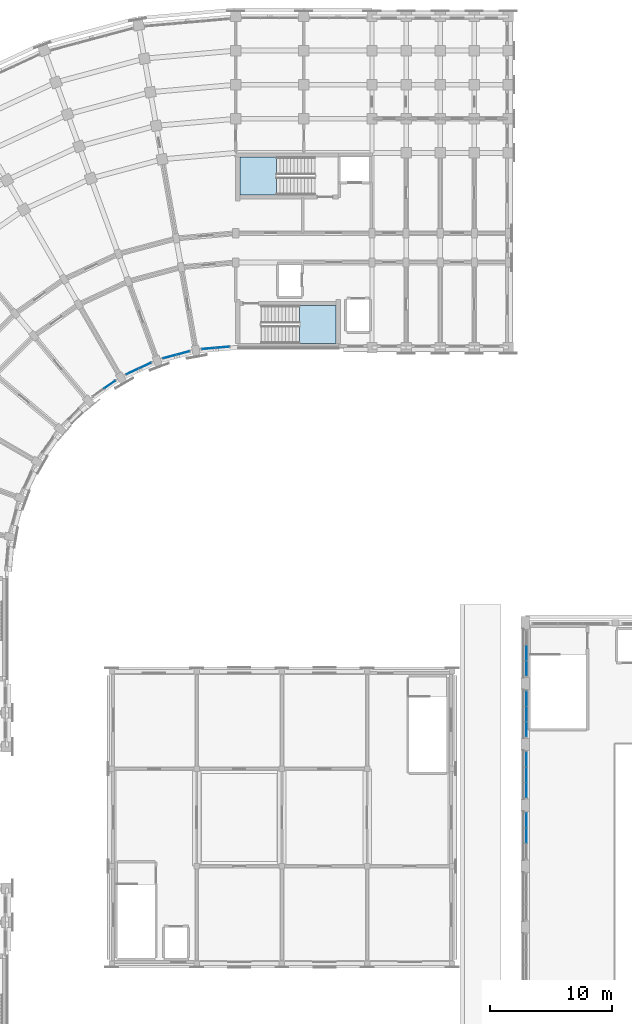
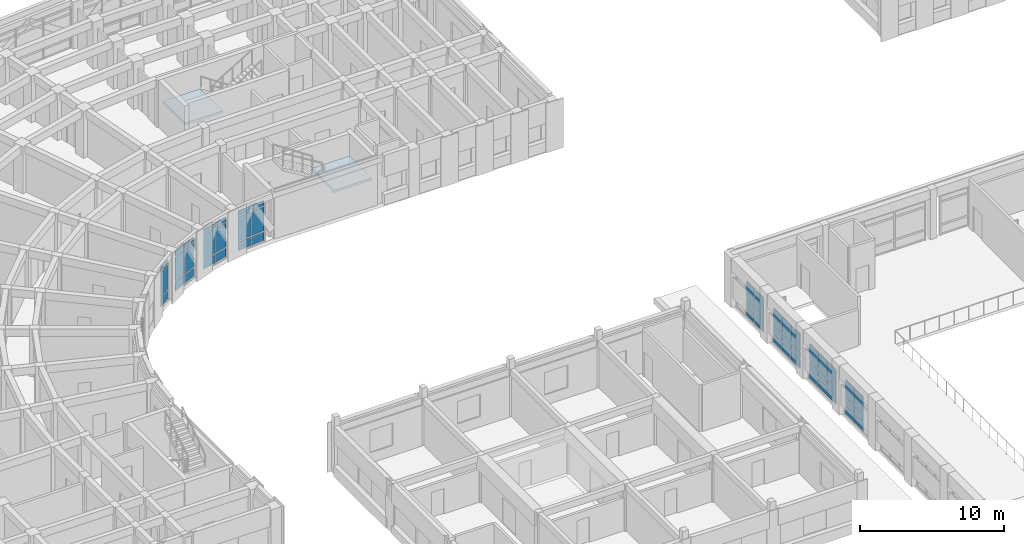
# One storey, part 50 of 97: 51 plates, 2 slabs, 10 elements without a shape of their own.
"""IFC4 building model written with IfcOpenShell, lengths in metres."""

from ifc_helpers import new_model, si_unit, direction, frame, origin, origin_2d, place, context, subcontext, project, spatial, polyline, rectangle, outline, extrude, material, layer, layer_set, type_object, element, aggregate, save


model = new_model("IFC4")

# Units and contexts
model_context = context("Model", 3, precision=1e-05, world=origin(), true_north=direction((0.0, 1.0)))
body_context = subcontext(model_context, "Body", "Model", "MODEL_VIEW")
ifc_project = project(units=[si_unit("LENGTHUNIT", "METRE"), si_unit("AREAUNIT", "SQUARE_METRE"), si_unit("VOLUMEUNIT", "CUBIC_METRE"), si_unit("PLANEANGLEUNIT", "RADIAN"), si_unit("MASSUNIT", "GRAM", prefix="KILO")], contexts=[model_context])

# Site, building, storey
site_placement = place(None, origin())
site = spatial("IfcSite", under=ifc_project, at=site_placement, CompositionType="ELEMENT")
building_placement = place(site_placement, origin())
building = spatial("IfcBuilding", under=site, at=building_placement, Name="Kiranvali Square Residences", CompositionType="ELEMENT")
storey_placement = place(building_placement, frame((0.0, 0.0, 4.5)))
storey = spatial("IfcBuildingStorey", under=building, at=storey_placement, Name="L01", CompositionType="ELEMENT", Elevation=4.5)

# Curtain wall, plates
ifc_material_1 = material(Name="Anodised bronze aluminium framing", Category="aluminium")
curtain_wall_type_1 = type_object("IfcCurtainWallType", Name="CW-RET-SHOP", PredefinedType="USERDEFINED", material=ifc_material_1)
curtain_wall_1_placement = place(storey_placement, origin())
curtain_wall_1 = element("IfcCurtainWall", 1, at=curtain_wall_1_placement, inside=storey, type_object=curtain_wall_type_1, Name="Block A L01 garden foyer curtain wall 1", ObjectType="CURTAIN WALL", PredefinedType="USERDEFINED")
ifc_material_2 = material(Name="Solar-control low-e double glazing", Category="glass")
ifc_layer_1 = layer(ifc_material_2, 0.028076171875)
ifc_layer_set_1 = layer_set([ifc_layer_1], Name="Solar-control low-e double glazing")
plate_type_1 = type_object("IfcPlateType", Name="PLT-CW-GLZ", PredefinedType="CURTAIN_PANEL", material=ifc_layer_set_1)
plate_1_placement = place(storey_placement, frame((47.124267578125, 106.62646484375, 0.89013671875), z_axis=(0.0, 0.0, 1.0), x_axis=(-0.996194698092, -0.087155742748, 0.0)))
plate_1 = element("IfcPlate", 2, at=plate_1_placement, type_object=plate_type_1, Name="CW-A-L01-GDN-00 glazed panel 1.2", PredefinedType="CURTAIN_PANEL", context=body_context, shape_type="SweptSolid", body=[
    extrude(rectangle(XDim=1.05859375, YDim=0.028076171875, at=origin_2d()), origin(), (0.0, 0.0, 1.0), 2.050048828125),
])
plate_2_placement = place(storey_placement, frame((47.124267578125, 106.62646484375, 3.02001953125), z_axis=(0.0, 0.0, 1.0), x_axis=(-0.996194698092, -0.087155742748, 0.0)))
plate_2 = element("IfcPlate", 3, at=plate_2_placement, type_object=plate_type_1, Name="CW-A-L01-GDN-00 glazed panel 1.3", PredefinedType="CURTAIN_PANEL", context=body_context, shape_type="SweptSolid", body=[
    extrude(rectangle(XDim=1.05859375, YDim=0.028076171875, at=origin_2d()), origin(), (0.0, 0.0, 1.0), 0.429931640625),
])
plate_3_placement = place(storey_placement, frame((45.990234375, 106.527099609375, 0.89013671875), z_axis=(0.0, 0.0, 1.0), x_axis=(-0.996194698092, -0.087155742748, 0.0)))
plate_3 = element("IfcPlate", 4, at=plate_3_placement, type_object=plate_type_1, Name="CW-A-L01-GDN-00 glazed panel 2.2", PredefinedType="CURTAIN_PANEL", context=body_context, shape_type="SweptSolid", body=[
    extrude(rectangle(XDim=1.05859375, YDim=0.028076171875, at=origin_2d()), origin(), (0.0, 0.0, 1.0), 2.050048828125),
])
plate_4_placement = place(storey_placement, frame((45.990234375, 106.527099609375, 3.02001953125), z_axis=(0.0, 0.0, 1.0), x_axis=(-0.996194698092, -0.087155742748, 0.0)))
plate_4 = element("IfcPlate", 5, at=plate_4_placement, type_object=plate_type_1, Name="CW-A-L01-GDN-00 glazed panel 2.3", PredefinedType="CURTAIN_PANEL", context=body_context, shape_type="SweptSolid", body=[
    extrude(rectangle(XDim=1.05859375, YDim=0.028076171875, at=origin_2d()), origin(), (0.0, 0.0, 1.0), 0.429931640625),
])

curtain_wall_2_placement = place(storey_placement, origin())
curtain_wall_2 = element("IfcCurtainWall", 6, at=curtain_wall_2_placement, inside=storey, type_object=curtain_wall_type_1, Name="Block A L01 garden foyer curtain wall 2", ObjectType="CURTAIN WALL", PredefinedType="USERDEFINED")
plate_5_placement = place(storey_placement, frame((43.87158203125, 106.153564453125, 0.89013671875), z_axis=(0.0, 0.0, 1.0), x_axis=(-0.965925826289, -0.258819045103, 0.0)))
plate_5 = element("IfcPlate", 7, at=plate_5_placement, type_object=plate_type_1, Name="CW-A-L01-GDN-01 glazed panel 1.2", PredefinedType="CURTAIN_PANEL", context=body_context, shape_type="SweptSolid", body=[
    extrude(rectangle(XDim=1.05859375, YDim=0.028076171875, at=origin_2d()), origin(), (0.0, 0.0, 1.0), 2.050048828125),
])
plate_6_placement = place(storey_placement, frame((43.87158203125, 106.153564453125, 3.02001953125), z_axis=(0.0, 0.0, 1.0), x_axis=(-0.965925826289, -0.258819045103, 0.0)))
plate_6 = element("IfcPlate", 8, at=plate_6_placement, type_object=plate_type_1, Name="CW-A-L01-GDN-01 glazed panel 1.3", PredefinedType="CURTAIN_PANEL", context=body_context, shape_type="SweptSolid", body=[
    extrude(rectangle(XDim=1.05859375, YDim=0.028076171875, at=origin_2d()), origin(), (0.0, 0.0, 1.0), 0.429931640625),
])
plate_7_placement = place(storey_placement, frame((42.771728515625, 105.85888671875, 0.89013671875), z_axis=(0.0, 0.0, 1.0), x_axis=(-0.965925826289, -0.258819045103, 0.0)))
plate_7 = element("IfcPlate", 9, at=plate_7_placement, type_object=plate_type_1, Name="CW-A-L01-GDN-01 glazed panel 2.2", PredefinedType="CURTAIN_PANEL", context=body_context, shape_type="SweptSolid", body=[
    extrude(rectangle(XDim=1.05859375, YDim=0.028076171875, at=origin_2d()), origin(), (0.0, 0.0, 1.0), 2.050048828125),
])
plate_8_placement = place(storey_placement, frame((42.771728515625, 105.85888671875, 3.02001953125), z_axis=(0.0, 0.0, 1.0), x_axis=(-0.965925826289, -0.258819045103, 0.0)))
plate_8 = element("IfcPlate", 10, at=plate_8_placement, type_object=plate_type_1, Name="CW-A-L01-GDN-01 glazed panel 2.3", PredefinedType="CURTAIN_PANEL", context=body_context, shape_type="SweptSolid", body=[
    extrude(rectangle(XDim=1.05859375, YDim=0.028076171875, at=origin_2d()), origin(), (0.0, 0.0, 1.0), 0.429931640625),
])

curtain_wall_3_placement = place(storey_placement, origin())
curtain_wall_3 = element("IfcCurtainWall", 11, at=curtain_wall_3_placement, inside=storey, type_object=curtain_wall_type_1, Name="Block A L01 garden foyer curtain wall 3", ObjectType="CURTAIN WALL", PredefinedType="USERDEFINED")
plate_9_placement = place(storey_placement, frame((40.750244140625, 105.123046875, 0.89013671875), z_axis=(0.0, 0.0, 1.0), x_axis=(-0.906307787037, -0.422618261741, 0.0)))
plate_9 = element("IfcPlate", 12, at=plate_9_placement, type_object=plate_type_1, Name="CW-A-L01-GDN-02 glazed panel 1.2", PredefinedType="CURTAIN_PANEL", context=body_context, shape_type="SweptSolid", body=[
    extrude(rectangle(XDim=1.05859375, YDim=0.028076171875, at=origin_2d()), origin(), (0.0, 0.0, 1.0), 2.050048828125),
])
plate_10_placement = place(storey_placement, frame((40.750244140625, 105.123046875, 3.02001953125), z_axis=(0.0, 0.0, 1.0), x_axis=(-0.906307787037, -0.422618261741, 0.0)))
plate_10 = element("IfcPlate", 13, at=plate_10_placement, type_object=plate_type_1, Name="CW-A-L01-GDN-02 glazed panel 1.3", PredefinedType="CURTAIN_PANEL", context=body_context, shape_type="SweptSolid", body=[
    extrude(rectangle(XDim=1.05859375, YDim=0.028076171875, at=origin_2d()), origin(), (0.0, 0.0, 1.0), 0.429931640625),
])
plate_11_placement = place(storey_placement, frame((39.71826171875, 104.641845703125, 0.89013671875), z_axis=(0.0, 0.0, 1.0), x_axis=(-0.906307787037, -0.422618261741, 0.0)))
plate_11 = element("IfcPlate", 14, at=plate_11_placement, type_object=plate_type_1, Name="CW-A-L01-GDN-02 glazed panel 2.2", PredefinedType="CURTAIN_PANEL", context=body_context, shape_type="SweptSolid", body=[
    extrude(rectangle(XDim=1.05859375, YDim=0.028076171875, at=origin_2d()), origin(), (0.0, 0.0, 1.0), 2.050048828125),
])
plate_12_placement = place(storey_placement, frame((39.71826171875, 104.641845703125, 3.02001953125), z_axis=(0.0, 0.0, 1.0), x_axis=(-0.906307787037, -0.422618261741, 0.0)))
plate_12 = element("IfcPlate", 15, at=plate_12_placement, type_object=plate_type_1, Name="CW-A-L01-GDN-02 glazed panel 2.3", PredefinedType="CURTAIN_PANEL", context=body_context, shape_type="SweptSolid", body=[
    extrude(rectangle(XDim=1.05859375, YDim=0.028076171875, at=origin_2d()), origin(), (0.0, 0.0, 1.0), 0.429931640625),
])

curtain_wall_4_placement = place(storey_placement, origin())
curtain_wall_4 = element("IfcCurtainWall", 16, at=curtain_wall_4_placement, inside=storey, type_object=curtain_wall_type_1, Name="Block A L01 garden foyer curtain wall 4", ObjectType="CURTAIN WALL", PredefinedType="USERDEFINED")
plate_13_placement = place(storey_placement, frame((37.855224609375, 103.566162109375, 0.89013671875), z_axis=(0.0, 0.0, 1.0), x_axis=(-0.819152044289, -0.573576436351, 0.0)))
plate_13 = element("IfcPlate", 17, at=plate_13_placement, type_object=plate_type_1, Name="CW-A-L01-GDN-03 glazed panel 1.2", PredefinedType="CURTAIN_PANEL", context=body_context, shape_type="SweptSolid", body=[
    extrude(rectangle(XDim=1.05859375, YDim=0.028076171875, at=origin_2d()), origin(), (0.0, 0.0, 1.0), 2.050048828125),
])
plate_14_placement = place(storey_placement, frame((37.855224609375, 103.566162109375, 3.02001953125), z_axis=(0.0, 0.0, 1.0), x_axis=(-0.819152044289, -0.573576436351, 0.0)))
plate_14 = element("IfcPlate", 18, at=plate_14_placement, type_object=plate_type_1, Name="CW-A-L01-GDN-03 glazed panel 1.3", PredefinedType="CURTAIN_PANEL", context=body_context, shape_type="SweptSolid", body=[
    extrude(rectangle(XDim=1.05859375, YDim=0.028076171875, at=origin_2d()), origin(), (0.0, 0.0, 1.0), 0.429931640625),
])

curtain_wall_type_2 = type_object("IfcCurtainWallType", Name="CW-CH-GLZ", PredefinedType="USERDEFINED", material=ifc_material_1)
curtain_wall_5_placement = place(storey_placement, origin())
curtain_wall_5 = element("IfcCurtainWall", 19, at=curtain_wall_5_placement, inside=storey, type_object=curtain_wall_type_2, Name="Community Hall L01 W clerestory bay 5", ObjectType="CURTAIN WALL", PredefinedType="USERDEFINED")
plate_15_placement = place(storey_placement, frame((72.080078125, 66.5, 0.889892578125), z_axis=(0.0, 0.0, 1.0), x_axis=(0.0, 1.0, 0.0)))
plate_15 = element("IfcPlate", 20, at=plate_15_placement, type_object=plate_type_1, Name="CW-CH-L01-W5 glazed panel 2.2", PredefinedType="CURTAIN_PANEL", context=body_context, shape_type="SweptSolid", body=[
    extrude(rectangle(XDim=1.166748046875, YDim=0.028076171875, at=origin_2d()), origin(), (0.0, 0.0, 1.0), 0.6201171875),
])
plate_16_placement = place(storey_placement, frame((72.080078125, 66.5, 1.58984375), z_axis=(0.0, 0.0, 1.0), x_axis=(0.0, 1.0, 0.0)))
plate_16 = element("IfcPlate", 21, at=plate_16_placement, type_object=plate_type_1, Name="CW-CH-L01-W5 glazed panel 2.3", PredefinedType="CURTAIN_PANEL", context=body_context, shape_type="SweptSolid", body=[
    extrude(rectangle(XDim=1.166748046875, YDim=0.028076171875, at=origin_2d()), origin(), (0.0, 0.0, 1.0), 1.429931640625),
])
plate_17_placement = place(storey_placement, frame((72.080078125, 67.74658203125, 0.889892578125), z_axis=(0.0, 0.0, 1.0), x_axis=(0.0, 1.0, 0.0)))
plate_17 = element("IfcPlate", 22, at=plate_17_placement, type_object=plate_type_1, Name="CW-CH-L01-W5 glazed panel 3.2", PredefinedType="CURTAIN_PANEL", context=body_context, shape_type="SweptSolid", body=[
    extrude(rectangle(XDim=1.166748046875, YDim=0.028076171875, at=origin_2d()), origin(), (0.0, 0.0, 1.0), 0.6201171875),
])
plate_18_placement = place(storey_placement, frame((72.080078125, 67.74658203125, 1.58984375), z_axis=(0.0, 0.0, 1.0), x_axis=(0.0, 1.0, 0.0)))
plate_18 = element("IfcPlate", 23, at=plate_18_placement, type_object=plate_type_1, Name="CW-CH-L01-W5 glazed panel 3.3", PredefinedType="CURTAIN_PANEL", context=body_context, shape_type="SweptSolid", body=[
    extrude(rectangle(XDim=1.166748046875, YDim=0.028076171875, at=origin_2d()), origin(), (0.0, 0.0, 1.0), 1.429931640625),
])

curtain_wall_6_placement = place(storey_placement, origin())
curtain_wall_6 = element("IfcCurtainWall", 24, at=curtain_wall_6_placement, inside=storey, type_object=curtain_wall_type_2, Name="Community Hall L01 W clerestory bay 6", ObjectType="CURTAIN WALL", PredefinedType="USERDEFINED")
plate_19_placement = place(storey_placement, frame((72.080078125, 70.25341796875, 0.889892578125), z_axis=(0.0, 0.0, 1.0), x_axis=(0.0, 1.0, 0.0)))
plate_19 = element("IfcPlate", 25, at=plate_19_placement, type_object=plate_type_1, Name="CW-CH-L01-W6 glazed panel 1.2", PredefinedType="CURTAIN_PANEL", context=body_context, shape_type="SweptSolid", body=[
    extrude(rectangle(XDim=1.166748046875, YDim=0.028076171875, at=origin_2d()), origin(), (0.0, 0.0, 1.0), 0.6201171875),
])
plate_20_placement = place(storey_placement, frame((72.080078125, 70.25341796875, 1.58984375), z_axis=(0.0, 0.0, 1.0), x_axis=(0.0, 1.0, 0.0)))
plate_20 = element("IfcPlate", 26, at=plate_20_placement, type_object=plate_type_1, Name="CW-CH-L01-W6 glazed panel 1.3", PredefinedType="CURTAIN_PANEL", context=body_context, shape_type="SweptSolid", body=[
    extrude(rectangle(XDim=1.166748046875, YDim=0.028076171875, at=origin_2d()), origin(), (0.0, 0.0, 1.0), 1.429931640625),
])
plate_21_placement = place(storey_placement, frame((72.080078125, 71.5, 0.889892578125), z_axis=(0.0, 0.0, 1.0), x_axis=(0.0, 1.0, 0.0)))
plate_21 = element("IfcPlate", 27, at=plate_21_placement, type_object=plate_type_1, Name="CW-CH-L01-W6 glazed panel 2.2", PredefinedType="CURTAIN_PANEL", context=body_context, shape_type="SweptSolid", body=[
    extrude(rectangle(XDim=1.166748046875, YDim=0.028076171875, at=origin_2d()), origin(), (0.0, 0.0, 1.0), 0.6201171875),
])
plate_22_placement = place(storey_placement, frame((72.080078125, 71.5, 1.58984375), z_axis=(0.0, 0.0, 1.0), x_axis=(0.0, 1.0, 0.0)))
plate_22 = element("IfcPlate", 28, at=plate_22_placement, type_object=plate_type_1, Name="CW-CH-L01-W6 glazed panel 2.3", PredefinedType="CURTAIN_PANEL", context=body_context, shape_type="SweptSolid", body=[
    extrude(rectangle(XDim=1.166748046875, YDim=0.028076171875, at=origin_2d()), origin(), (0.0, 0.0, 1.0), 1.429931640625),
])
plate_23_placement = place(storey_placement, frame((72.080078125, 72.74658203125, 0.889892578125), z_axis=(0.0, 0.0, 1.0), x_axis=(0.0, 1.0, 0.0)))
plate_23 = element("IfcPlate", 29, at=plate_23_placement, type_object=plate_type_1, Name="CW-CH-L01-W6 glazed panel 3.2", PredefinedType="CURTAIN_PANEL", context=body_context, shape_type="SweptSolid", body=[
    extrude(rectangle(XDim=1.166748046875, YDim=0.028076171875, at=origin_2d()), origin(), (0.0, 0.0, 1.0), 0.6201171875),
])
plate_24_placement = place(storey_placement, frame((72.080078125, 72.74658203125, 1.58984375), z_axis=(0.0, 0.0, 1.0), x_axis=(0.0, 1.0, 0.0)))
plate_24 = element("IfcPlate", 30, at=plate_24_placement, type_object=plate_type_1, Name="CW-CH-L01-W6 glazed panel 3.3", PredefinedType="CURTAIN_PANEL", context=body_context, shape_type="SweptSolid", body=[
    extrude(rectangle(XDim=1.166748046875, YDim=0.028076171875, at=origin_2d()), origin(), (0.0, 0.0, 1.0), 1.429931640625),
])

curtain_wall_7_placement = place(storey_placement, origin())
curtain_wall_7 = element("IfcCurtainWall", 31, at=curtain_wall_7_placement, inside=storey, type_object=curtain_wall_type_2, Name="Community Hall L01 W clerestory bay 7", ObjectType="CURTAIN WALL", PredefinedType="USERDEFINED")
plate_25_placement = place(storey_placement, frame((72.080078125, 75.25341796875, 0.889892578125), z_axis=(0.0, 0.0, 1.0), x_axis=(0.0, 1.0, 0.0)))
plate_25 = element("IfcPlate", 32, at=plate_25_placement, type_object=plate_type_1, Name="CW-CH-L01-W7 glazed panel 1.2", PredefinedType="CURTAIN_PANEL", context=body_context, shape_type="SweptSolid", body=[
    extrude(rectangle(XDim=1.166748046875, YDim=0.028076171875, at=origin_2d()), origin(), (0.0, 0.0, 1.0), 0.6201171875),
])
plate_26_placement = place(storey_placement, frame((72.080078125, 75.25341796875, 1.58984375), z_axis=(0.0, 0.0, 1.0), x_axis=(0.0, 1.0, 0.0)))
plate_26 = element("IfcPlate", 33, at=plate_26_placement, type_object=plate_type_1, Name="CW-CH-L01-W7 glazed panel 1.3", PredefinedType="CURTAIN_PANEL", context=body_context, shape_type="SweptSolid", body=[
    extrude(rectangle(XDim=1.166748046875, YDim=0.028076171875, at=origin_2d()), origin(), (0.0, 0.0, 1.0), 1.429931640625),
])
plate_27_placement = place(storey_placement, frame((72.080078125, 76.5, 0.889892578125), z_axis=(0.0, 0.0, 1.0), x_axis=(0.0, 1.0, 0.0)))
plate_27 = element("IfcPlate", 34, at=plate_27_placement, type_object=plate_type_1, Name="CW-CH-L01-W7 glazed panel 2.2", PredefinedType="CURTAIN_PANEL", context=body_context, shape_type="SweptSolid", body=[
    extrude(rectangle(XDim=1.166748046875, YDim=0.028076171875, at=origin_2d()), origin(), (0.0, 0.0, 1.0), 0.6201171875),
])
plate_28_placement = place(storey_placement, frame((72.080078125, 76.5, 1.58984375), z_axis=(0.0, 0.0, 1.0), x_axis=(0.0, 1.0, 0.0)))
plate_28 = element("IfcPlate", 35, at=plate_28_placement, type_object=plate_type_1, Name="CW-CH-L01-W7 glazed panel 2.3", PredefinedType="CURTAIN_PANEL", context=body_context, shape_type="SweptSolid", body=[
    extrude(rectangle(XDim=1.166748046875, YDim=0.028076171875, at=origin_2d()), origin(), (0.0, 0.0, 1.0), 1.429931640625),
])
plate_29_placement = place(storey_placement, frame((72.080078125, 77.74658203125, 0.889892578125), z_axis=(0.0, 0.0, 1.0), x_axis=(0.0, 1.0, 0.0)))
plate_29 = element("IfcPlate", 36, at=plate_29_placement, type_object=plate_type_1, Name="CW-CH-L01-W7 glazed panel 3.2", PredefinedType="CURTAIN_PANEL", context=body_context, shape_type="SweptSolid", body=[
    extrude(rectangle(XDim=1.166748046875, YDim=0.028076171875, at=origin_2d()), origin(), (0.0, 0.0, 1.0), 0.6201171875),
])
plate_30_placement = place(storey_placement, frame((72.080078125, 77.74658203125, 1.58984375), z_axis=(0.0, 0.0, 1.0), x_axis=(0.0, 1.0, 0.0)))
plate_30 = element("IfcPlate", 37, at=plate_30_placement, type_object=plate_type_1, Name="CW-CH-L01-W7 glazed panel 3.3", PredefinedType="CURTAIN_PANEL", context=body_context, shape_type="SweptSolid", body=[
    extrude(rectangle(XDim=1.166748046875, YDim=0.028076171875, at=origin_2d()), origin(), (0.0, 0.0, 1.0), 1.429931640625),
])

curtain_wall_8_placement = place(storey_placement, origin())
curtain_wall_8 = element("IfcCurtainWall", 38, at=curtain_wall_8_placement, inside=storey, type_object=curtain_wall_type_2, Name="Community Hall L01 W clerestory bay 8", ObjectType="CURTAIN WALL", PredefinedType="USERDEFINED")
plate_31_placement = place(storey_placement, frame((72.080078125, 80.25341796875, 0.889892578125), z_axis=(0.0, 0.0, 1.0), x_axis=(0.0, 1.0, 0.0)))
plate_31 = element("IfcPlate", 39, at=plate_31_placement, type_object=plate_type_1, Name="CW-CH-L01-W8 glazed panel 1.2", PredefinedType="CURTAIN_PANEL", context=body_context, shape_type="SweptSolid", body=[
    extrude(rectangle(XDim=1.166748046875, YDim=0.028076171875, at=origin_2d()), origin(), (0.0, 0.0, 1.0), 0.6201171875),
])
plate_32_placement = place(storey_placement, frame((72.080078125, 80.25341796875, 1.58984375), z_axis=(0.0, 0.0, 1.0), x_axis=(0.0, 1.0, 0.0)))
plate_32 = element("IfcPlate", 40, at=plate_32_placement, type_object=plate_type_1, Name="CW-CH-L01-W8 glazed panel 1.3", PredefinedType="CURTAIN_PANEL", context=body_context, shape_type="SweptSolid", body=[
    extrude(rectangle(XDim=1.166748046875, YDim=0.028076171875, at=origin_2d()), origin(), (0.0, 0.0, 1.0), 1.429931640625),
])
plate_33_placement = place(storey_placement, frame((72.080078125, 81.5, 0.889892578125), z_axis=(0.0, 0.0, 1.0), x_axis=(0.0, 1.0, 0.0)))
plate_33 = element("IfcPlate", 41, at=plate_33_placement, type_object=plate_type_1, Name="CW-CH-L01-W8 glazed panel 2.2", PredefinedType="CURTAIN_PANEL", context=body_context, shape_type="SweptSolid", body=[
    extrude(rectangle(XDim=1.166748046875, YDim=0.028076171875, at=origin_2d()), origin(), (0.0, 0.0, 1.0), 0.6201171875),
])
plate_34_placement = place(storey_placement, frame((72.080078125, 81.5, 1.58984375), z_axis=(0.0, 0.0, 1.0), x_axis=(0.0, 1.0, 0.0)))
plate_34 = element("IfcPlate", 42, at=plate_34_placement, type_object=plate_type_1, Name="CW-CH-L01-W8 glazed panel 2.3", PredefinedType="CURTAIN_PANEL", context=body_context, shape_type="SweptSolid", body=[
    extrude(rectangle(XDim=1.166748046875, YDim=0.028076171875, at=origin_2d()), origin(), (0.0, 0.0, 1.0), 1.429931640625),
])

# Plate
ifc_material_3 = material(Name="Honed Porbandar limestone ashlar facade cladding", Category="masonry")
ifc_layer_2 = layer(ifc_material_3, 0.02392578125)
ifc_layer_set_2 = layer_set([ifc_layer_2], Name="Honed Porbandar limestone ashlar facade cladding")
plate_type_2 = type_object("IfcPlateType", Name="PLT-CW-SPN", PredefinedType="SHEET", material=ifc_layer_set_2)
plate_35_placement = place(storey_placement, frame((47.124267578125, 106.62646484375, 0.080078125), z_axis=(0.0, 0.0, 1.0), x_axis=(-0.996194698092, -0.087155742748, 0.0)))
plate_35 = element("IfcPlate", 43, at=plate_35_placement, type_object=plate_type_2, Name="CW-A-L01-GDN-00 spandrel panel 1.1", PredefinedType="SHEET", context=body_context, shape_type="SweptSolid", body=[
    extrude(rectangle(XDim=1.05859375, YDim=0.02392578125, at=origin_2d()), origin(), (0.0, 0.0, 1.0), 0.72998046875),
])

plate_36_placement = place(storey_placement, frame((45.990234375, 106.527099609375, 0.080078125), z_axis=(0.0, 0.0, 1.0), x_axis=(-0.996194698092, -0.087155742748, 0.0)))
plate_36 = element("IfcPlate", 44, at=plate_36_placement, type_object=plate_type_2, Name="CW-A-L01-GDN-00 spandrel panel 2.1", PredefinedType="SHEET", context=body_context, shape_type="SweptSolid", body=[
    extrude(rectangle(XDim=1.05859375, YDim=0.02392578125, at=origin_2d()), origin(), (0.0, 0.0, 1.0), 0.72998046875),
])

aggregate(curtain_wall_1, [plate_35, plate_1, plate_2, plate_36, plate_3, plate_4])

plate_37_placement = place(storey_placement, frame((43.87158203125, 106.153564453125, 0.080078125), z_axis=(0.0, 0.0, 1.0), x_axis=(-0.965925826289, -0.258819045103, 0.0)))
plate_37 = element("IfcPlate", 45, at=plate_37_placement, type_object=plate_type_2, Name="CW-A-L01-GDN-01 spandrel panel 1.1", PredefinedType="SHEET", context=body_context, shape_type="SweptSolid", body=[
    extrude(rectangle(XDim=1.05859375, YDim=0.02392578125, at=origin_2d()), origin(), (0.0, 0.0, 1.0), 0.72998046875),
])

plate_38_placement = place(storey_placement, frame((42.771728515625, 105.85888671875, 0.080078125), z_axis=(0.0, 0.0, 1.0), x_axis=(-0.965925826289, -0.258819045103, 0.0)))
plate_38 = element("IfcPlate", 46, at=plate_38_placement, type_object=plate_type_2, Name="CW-A-L01-GDN-01 spandrel panel 2.1", PredefinedType="SHEET", context=body_context, shape_type="SweptSolid", body=[
    extrude(rectangle(XDim=1.05859375, YDim=0.02392578125, at=origin_2d()), origin(), (0.0, 0.0, 1.0), 0.72998046875),
])

aggregate(curtain_wall_2, [plate_37, plate_5, plate_6, plate_38, plate_7, plate_8])

plate_39_placement = place(storey_placement, frame((40.750244140625, 105.123046875, 0.080078125), z_axis=(0.0, 0.0, 1.0), x_axis=(-0.906307787037, -0.422618261741, 0.0)))
plate_39 = element("IfcPlate", 47, at=plate_39_placement, type_object=plate_type_2, Name="CW-A-L01-GDN-02 spandrel panel 1.1", PredefinedType="SHEET", context=body_context, shape_type="SweptSolid", body=[
    extrude(rectangle(XDim=1.05859375, YDim=0.02392578125, at=origin_2d()), origin(), (0.0, 0.0, 1.0), 0.72998046875),
])

plate_40_placement = place(storey_placement, frame((39.71826171875, 104.641845703125, 0.080078125), z_axis=(0.0, 0.0, 1.0), x_axis=(-0.906307787037, -0.422618261741, 0.0)))
plate_40 = element("IfcPlate", 48, at=plate_40_placement, type_object=plate_type_2, Name="CW-A-L01-GDN-02 spandrel panel 2.1", PredefinedType="SHEET", context=body_context, shape_type="SweptSolid", body=[
    extrude(rectangle(XDim=1.05859375, YDim=0.02392578125, at=origin_2d()), origin(), (0.0, 0.0, 1.0), 0.72998046875),
])

aggregate(curtain_wall_3, [plate_39, plate_9, plate_10, plate_40, plate_11, plate_12])

plate_41_placement = place(storey_placement, frame((37.855224609375, 103.566162109375, 0.080078125), z_axis=(0.0, 0.0, 1.0), x_axis=(-0.819152044289, -0.573576436351, 0.0)))
plate_41 = element("IfcPlate", 49, at=plate_41_placement, type_object=plate_type_2, Name="CW-A-L01-GDN-03 spandrel panel 1.1", PredefinedType="SHEET", context=body_context, shape_type="SweptSolid", body=[
    extrude(rectangle(XDim=1.05859375, YDim=0.02392578125, at=origin_2d()), origin(), (0.0, 0.0, 1.0), 0.72998046875),
])

aggregate(curtain_wall_4, [plate_41, plate_13, plate_14])

plate_42_placement = place(storey_placement, frame((72.080078125, 66.5, 0.080078125), z_axis=(0.0, 0.0, 1.0), x_axis=(0.0, 1.0, 0.0)))
plate_42 = element("IfcPlate", 50, at=plate_42_placement, type_object=plate_type_2, Name="CW-CH-L01-W5 spandrel panel 2.1", PredefinedType="SHEET", context=body_context, shape_type="SweptSolid", body=[
    extrude(rectangle(XDim=1.166748046875, YDim=0.02392578125, at=origin_2d()), origin(), (0.0, 0.0, 1.0), 0.72998046875),
])

plate_43_placement = place(storey_placement, frame((72.080078125, 67.74658203125, 0.080078125), z_axis=(0.0, 0.0, 1.0), x_axis=(0.0, 1.0, 0.0)))
plate_43 = element("IfcPlate", 51, at=plate_43_placement, type_object=plate_type_2, Name="CW-CH-L01-W5 spandrel panel 3.1", PredefinedType="SHEET", context=body_context, shape_type="SweptSolid", body=[
    extrude(rectangle(XDim=1.166748046875, YDim=0.02392578125, at=origin_2d()), origin(), (0.0, 0.0, 1.0), 0.72998046875),
])

aggregate(curtain_wall_5, [plate_42, plate_15, plate_16, plate_43, plate_17, plate_18])

plate_44_placement = place(storey_placement, frame((72.080078125, 70.25341796875, 0.080078125), z_axis=(0.0, 0.0, 1.0), x_axis=(0.0, 1.0, 0.0)))
plate_44 = element("IfcPlate", 52, at=plate_44_placement, type_object=plate_type_2, Name="CW-CH-L01-W6 spandrel panel 1.1", PredefinedType="SHEET", context=body_context, shape_type="SweptSolid", body=[
    extrude(rectangle(XDim=1.166748046875, YDim=0.02392578125, at=origin_2d()), origin(), (0.0, 0.0, 1.0), 0.72998046875),
])

plate_45_placement = place(storey_placement, frame((72.080078125, 71.5, 0.080078125), z_axis=(0.0, 0.0, 1.0), x_axis=(0.0, 1.0, 0.0)))
plate_45 = element("IfcPlate", 53, at=plate_45_placement, type_object=plate_type_2, Name="CW-CH-L01-W6 spandrel panel 2.1", PredefinedType="SHEET", context=body_context, shape_type="SweptSolid", body=[
    extrude(rectangle(XDim=1.166748046875, YDim=0.02392578125, at=origin_2d()), origin(), (0.0, 0.0, 1.0), 0.72998046875),
])

plate_46_placement = place(storey_placement, frame((72.080078125, 72.74658203125, 0.080078125), z_axis=(0.0, 0.0, 1.0), x_axis=(0.0, 1.0, 0.0)))
plate_46 = element("IfcPlate", 54, at=plate_46_placement, type_object=plate_type_2, Name="CW-CH-L01-W6 spandrel panel 3.1", PredefinedType="SHEET", context=body_context, shape_type="SweptSolid", body=[
    extrude(rectangle(XDim=1.166748046875, YDim=0.02392578125, at=origin_2d()), origin(), (0.0, 0.0, 1.0), 0.72998046875),
])

aggregate(curtain_wall_6, [plate_44, plate_19, plate_20, plate_45, plate_21, plate_22, plate_46, plate_23, plate_24])

plate_47_placement = place(storey_placement, frame((72.080078125, 75.25341796875, 0.080078125), z_axis=(0.0, 0.0, 1.0), x_axis=(0.0, 1.0, 0.0)))
plate_47 = element("IfcPlate", 55, at=plate_47_placement, type_object=plate_type_2, Name="CW-CH-L01-W7 spandrel panel 1.1", PredefinedType="SHEET", context=body_context, shape_type="SweptSolid", body=[
    extrude(rectangle(XDim=1.166748046875, YDim=0.02392578125, at=origin_2d()), origin(), (0.0, 0.0, 1.0), 0.72998046875),
])

plate_48_placement = place(storey_placement, frame((72.080078125, 76.5, 0.080078125), z_axis=(0.0, 0.0, 1.0), x_axis=(0.0, 1.0, 0.0)))
plate_48 = element("IfcPlate", 56, at=plate_48_placement, type_object=plate_type_2, Name="CW-CH-L01-W7 spandrel panel 2.1", PredefinedType="SHEET", context=body_context, shape_type="SweptSolid", body=[
    extrude(rectangle(XDim=1.166748046875, YDim=0.02392578125, at=origin_2d()), origin(), (0.0, 0.0, 1.0), 0.72998046875),
])

plate_49_placement = place(storey_placement, frame((72.080078125, 77.74658203125, 0.080078125), z_axis=(0.0, 0.0, 1.0), x_axis=(0.0, 1.0, 0.0)))
plate_49 = element("IfcPlate", 57, at=plate_49_placement, type_object=plate_type_2, Name="CW-CH-L01-W7 spandrel panel 3.1", PredefinedType="SHEET", context=body_context, shape_type="SweptSolid", body=[
    extrude(rectangle(XDim=1.166748046875, YDim=0.02392578125, at=origin_2d()), origin(), (0.0, 0.0, 1.0), 0.72998046875),
])

aggregate(curtain_wall_7, [plate_47, plate_25, plate_26, plate_48, plate_27, plate_28, plate_49, plate_29, plate_30])

plate_50_placement = place(storey_placement, frame((72.080078125, 80.25341796875, 0.080078125), z_axis=(0.0, 0.0, 1.0), x_axis=(0.0, 1.0, 0.0)))
plate_50 = element("IfcPlate", 58, at=plate_50_placement, type_object=plate_type_2, Name="CW-CH-L01-W8 spandrel panel 1.1", PredefinedType="SHEET", context=body_context, shape_type="SweptSolid", body=[
    extrude(rectangle(XDim=1.166748046875, YDim=0.02392578125, at=origin_2d()), origin(), (0.0, 0.0, 1.0), 0.72998046875),
])

plate_51_placement = place(storey_placement, frame((72.080078125, 81.5, 0.080078125), z_axis=(0.0, 0.0, 1.0), x_axis=(0.0, 1.0, 0.0)))
plate_51 = element("IfcPlate", 59, at=plate_51_placement, type_object=plate_type_2, Name="CW-CH-L01-W8 spandrel panel 2.1", PredefinedType="SHEET", context=body_context, shape_type="SweptSolid", body=[
    extrude(rectangle(XDim=1.166748046875, YDim=0.02392578125, at=origin_2d()), origin(), (0.0, 0.0, 1.0), 0.72998046875),
])

aggregate(curtain_wall_8, [plate_50, plate_31, plate_32, plate_51, plate_33, plate_34])

# Stair, slab
ifc_material_4 = material(Name="Concrete M35 (35 MPa)", Category="concrete")
stair_type = type_object("IfcStairType", Name="ST-CORE-1700", PredefinedType="HALF_TURN_STAIR", material=ifc_material_4)
stair_1_placement = place(storey_placement, origin())
stair_1 = element("IfcStair", 60, at=stair_1_placement, inside=storey, type_object=stair_type, Name="L01 Block A Firefighting Exit Stair 1", PredefinedType="HALF_TURN_STAIR")
ifc_layer_3 = layer(ifc_material_4, 0.199951171875)
ifc_layer_set_3 = layer_set([ifc_layer_3], Name="Concrete M35 (35 MPa)")
slab_type = type_object("IfcSlabType", Name="SLB-LND-200", PredefinedType="LANDING", material=ifc_layer_set_3)
slab_1_placement = place(storey_placement, frame((0.0, 0.0, 1.89990234375)))
slab_1 = element("IfcSlab", 61, at=slab_1_placement, type_object=slab_type, Name="ST-A1 landing 1", PredefinedType="LANDING", context=body_context, shape_type="SweptSolid", body=[
    extrude(outline(polyline([(51.56494140625, 122.25), (48.550048828125, 122.25), (48.550048828125, 119.14990234375), (51.56494140625, 119.14990234375), (51.56494140625, 122.25)])), origin(), (0.0, 0.0, 1.0), 0.2001953125),
])
aggregate(stair_1, [slab_1])

stair_2_placement = place(storey_placement, origin())
stair_2 = element("IfcStair", 62, at=stair_2_placement, inside=storey, type_object=stair_type, Name="L01 Block A Protected Exit Stair 2", PredefinedType="HALF_TURN_STAIR")
slab_2_placement = place(storey_placement, frame((0.0, 0.0, 1.89990234375)))
slab_2 = element("IfcSlab", 63, at=slab_2_placement, type_object=slab_type, Name="ST-A2 landing 1", PredefinedType="LANDING", context=body_context, shape_type="SweptSolid", body=[
    extrude(outline(polyline([(53.43505859375, 106.949951171875), (56.449951171875, 106.949951171875), (56.449951171875, 110.050048828125), (53.43505859375, 110.050048828125), (53.43505859375, 106.949951171875)])), origin(), (0.0, 0.0, 1.0), 0.2001953125),
])
aggregate(stair_2, [slab_2])

save(model, "model.ifc")
